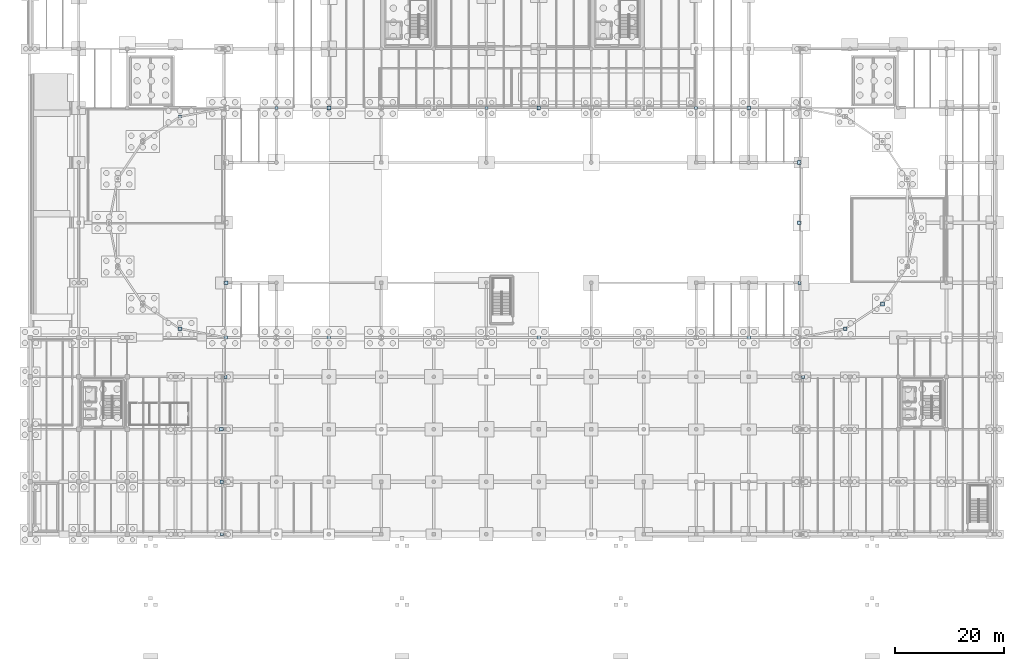
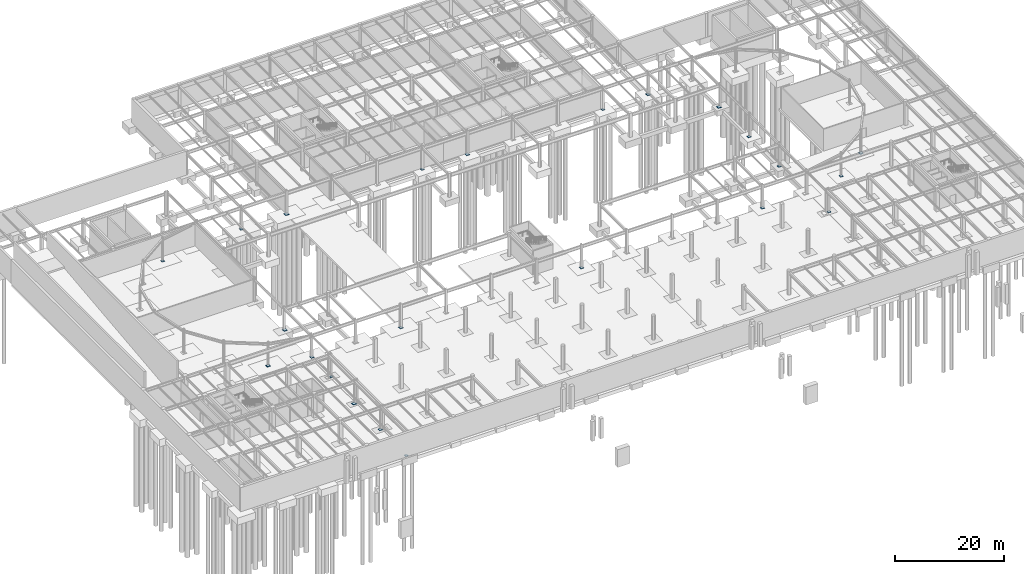
# One storey, part 39 of 50: 23 plates.
"""IFC4 building model written with IfcOpenShell, lengths in metres."""

from ifc_helpers import new_model, si_unit, direction, frame, origin, origin_2d, place, context, subcontext, project, spatial, rectangle, extrude, material, layer, layer_set, type_object, element, save


model = new_model("IFC4")

# Units and contexts
model_context = context("Model", 3, precision=1e-05, world=origin(), true_north=direction((0.0, 1.0)))
body_context = subcontext(model_context, "Body", "Model", "MODEL_VIEW")
ifc_project = project(units=[si_unit("LENGTHUNIT", "METRE"), si_unit("AREAUNIT", "SQUARE_METRE"), si_unit("VOLUMEUNIT", "CUBIC_METRE"), si_unit("PLANEANGLEUNIT", "RADIAN"), si_unit("MASSUNIT", "GRAM", prefix="KILO")], contexts=[model_context])

# Site, building, storey
site_placement = place(None, origin())
site = spatial("IfcSite", under=ifc_project, at=site_placement, CompositionType="ELEMENT")
building_placement = place(site_placement, origin())
building = spatial("IfcBuilding", under=site, at=building_placement, Name="Yeouljin Market Hall", CompositionType="ELEMENT")
storey_placement = place(building_placement, frame((0.0, 0.0, -5.39990234375)))
storey = spatial("IfcBuildingStorey", under=building, at=storey_placement, Name="B1", CompositionType="ELEMENT", Elevation=-5.39990234375)

# Plates
ifc_material_1 = material(Name="Steel SM355", Category="steel")
ifc_layer_1 = layer(ifc_material_1, 0.028076171875)
ifc_layer_set_1 = layer_set([ifc_layer_1], Name="Steel SM355")
plate_type_1 = type_object("IfcPlateType", Name="BasePlate_550x550x28", PredefinedType="USERDEFINED", material=ifc_layer_set_1)
for number, where, z_axis, x_axis, name in (
    (1, (35.034912109375, 0.0, 0.0), (0.0, 0.0, 1.0), (1.0, 0.0, 0.0), "Column base plate 001"),
    (2, (35.68505859375, 28.800048828125, 0.0), (0.0, 0.0, 1.0), (1.0, 0.0, 0.0), "Column base plate 009"),
    (3, (45.0, 78.0, 0.0), (0.0, 0.0, 1.0), (1.0, 0.0, 0.0), "Column base plate 017"),
    (4, (83.39990234375, 78.0, 0.0), (0.0, 0.0, 1.0), (1.0, 0.0, 0.0), "Column base plate 025"),
    (5, (121.800048828125, 78.0, 0.0), (0.0, 0.0, 1.0), (1.0, 0.0, 0.0), "Column base plate 033"),
    (6, (140.715087890625, 46.0, 0.0), (0.0, 0.0, 1.0), (1.0, 0.0, 0.0), "Column base plate 041"),
    (7, (141.364990234375, 28.800048828125, 0.0), (0.0, 0.0, 1.0), (1.0, 0.0, 0.0), "Column base plate 049"),
    (8, (27.363525390625, 76.401611328125, 0.0), (0.0, 0.0, 1.0), (1.0, 0.0, 0.0), "Column base plate 057"),
):
    element("IfcPlate", number, at=place(storey_placement, frame(where, z_axis=z_axis, x_axis=x_axis)), inside=storey, type_object=plate_type_1, Name=name, ObjectType="BASE PLATE", PredefinedType="USERDEFINED", context=body_context, shape_type="SweptSolid", body=[
        extrude(rectangle(XDim=0.550048828125, YDim=0.550048828125, at=origin_2d()), origin(), (0.0, 0.0, 1.0), 0.028076171875),
    ])
ifc_material_2 = material(Name="Steel SM355", Category="steel")
ifc_layer_2 = layer(ifc_material_2, 0.030029296875)
ifc_layer_set_2 = layer_set([ifc_layer_2], Name="Steel SM355")
plate_type_2 = type_object("IfcPlateType", Name="BasePlate_620x620x30", PredefinedType="USERDEFINED", material=ifc_layer_set_2)
for number, where, z_axis, x_axis, name in (
    (9, (35.0, 9.60009765625, 0.0), (0.0, 0.0, 1.0), (1.0, 0.0, 0.0), "Column base plate 002"),
    (10, (35.719970703125, 36.0, 0.0), (0.0, 0.0, 1.0), (1.0, 0.0, 0.0), "Column base plate 010"),
    (11, (54.60009765625, 36.0, 0.0), (0.0, 0.0, 1.0), (1.0, 0.0, 0.0), "Column base plate 018"),
    (12, (93.0, 36.0, 0.0), (0.0, 0.0, 1.0), (1.0, 0.0, 0.0), "Column base plate 026"),
    (13, (131.39990234375, 36.0, 0.0), (0.0, 0.0, 1.0), (1.0, 0.0, 0.0), "Column base plate 034"),
    (14, (140.679931640625, 57.0, 0.0), (0.0, 0.0, 1.0), (1.0, 0.0, 0.0), "Column base plate 042"),
    (15, (149.036376953125, 37.598388671875, 0.0), (0.0, 0.0, 1.0), (1.0, 0.0, 0.0), "Column base plate 058"),
):
    element("IfcPlate", number, at=place(storey_placement, frame(where, z_axis=z_axis, x_axis=x_axis)), inside=storey, type_object=plate_type_2, Name=name, ObjectType="BASE PLATE", PredefinedType="USERDEFINED", context=body_context, shape_type="SweptSolid", body=[
        extrude(rectangle(XDim=0.6201171875, YDim=0.6201171875, at=origin_2d()), origin(), (0.0, 0.0, 1.0), 0.030029296875),
    ])
ifc_material_3 = material(Name="Steel SM355", Category="steel")
ifc_layer_3 = layer(ifc_material_3, 0.031982421875)
ifc_layer_set_3 = layer_set([ifc_layer_3], Name="Steel SM355")
plate_type_3 = type_object("IfcPlateType", Name="BasePlate_700x700x32", PredefinedType="USERDEFINED", material=ifc_layer_set_3)
for number, where, z_axis, x_axis, name in (
    (16, (34.9599609375, 19.199951171875, 0.0), (0.0, 0.0, 1.0), (1.0, 0.0, 0.0), "Column base plate 003"),
    (17, (35.760009765625, 46.0, 0.0), (0.0, 0.0, 1.0), (1.0, 0.0, 0.0), "Column base plate 011"),
    (18, (54.60009765625, 78.0, 0.0), (0.0, 0.0, 1.0), (1.0, 0.0, 0.0), "Column base plate 019"),
    (19, (93.0, 78.0, 0.0), (0.0, 0.0, 1.0), (1.0, 0.0, 0.0), "Column base plate 027"),
    (20, (131.39990234375, 78.0, 0.0), (0.0, 0.0, 1.0), (1.0, 0.0, 0.0), "Column base plate 035"),
    (21, (140.639892578125, 68.0, 0.0), (0.0, 0.0, 1.0), (1.0, 0.0, 0.0), "Column base plate 043"),
    (22, (27.363525390625, 37.598388671875, 0.0), (0.0, 0.0, 1.0), (1.0, 0.0, 0.0), "Column base plate 051"),
    (23, (155.84912109375, 42.15087890625, 0.0), (0.0, 0.0, 1.0), (1.0, 0.0, 0.0), "Column base plate 059"),
):
    element("IfcPlate", number, at=place(storey_placement, frame(where, z_axis=z_axis, x_axis=x_axis)), inside=storey, type_object=plate_type_3, Name=name, ObjectType="BASE PLATE", PredefinedType="USERDEFINED", context=body_context, shape_type="SweptSolid", body=[
        extrude(rectangle(XDim=0.699951171875, YDim=0.699951171875, at=origin_2d()), origin(), (0.0, 0.0, 1.0), 0.031982421875),
    ])

save(model, "model.ifc")
